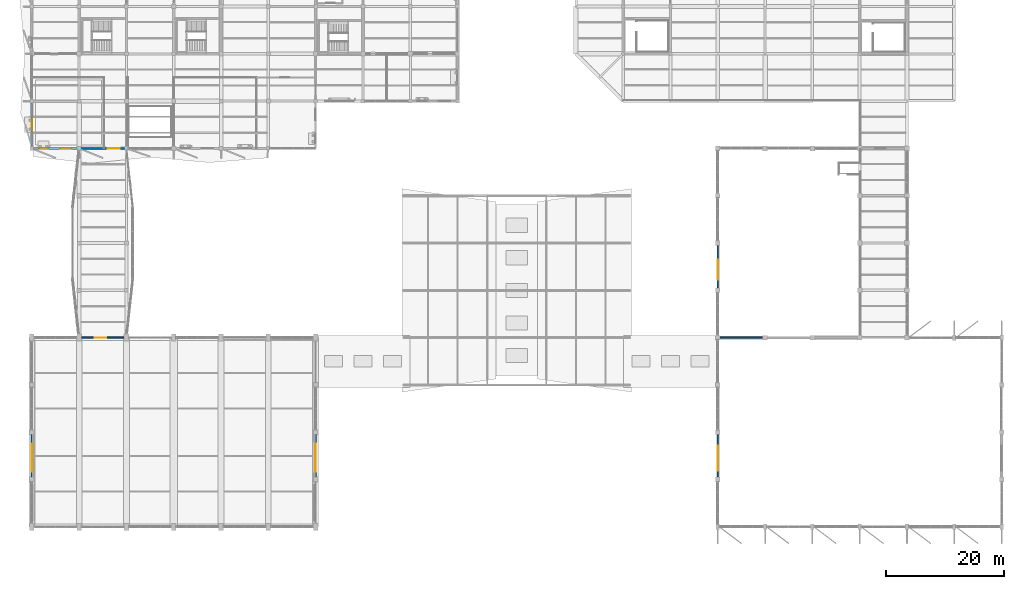
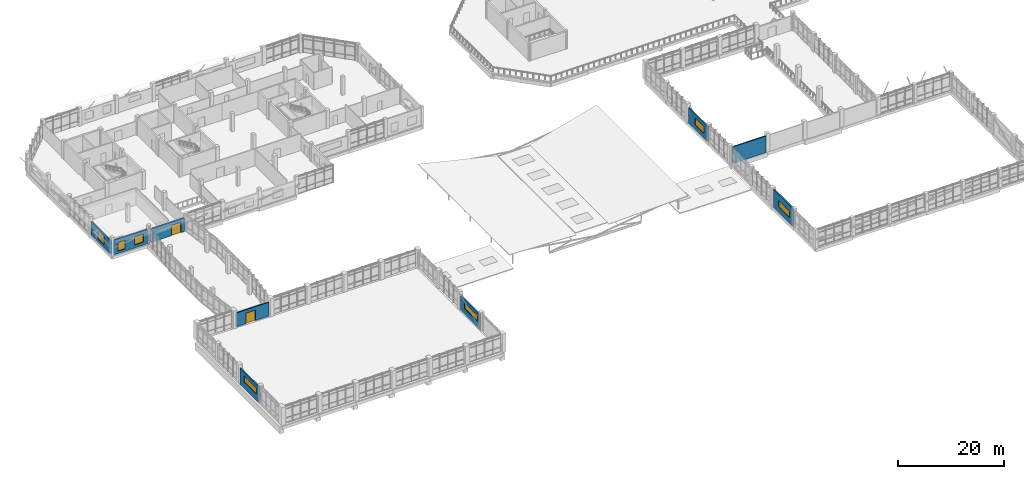
# One storey, part 72 of 84: 9 walls, 7 windows, 2 doors, 9 openings.
"""IFC4 building model written with IfcOpenShell, lengths in metres."""

from ifc_helpers import new_model, si_unit, direction, frame, frame_2d, origin, place, context, subcontext, project, spatial, rectangle, extrude, material, layer, layer_set, type_object, element, fill, save


model = new_model("IFC4")

# Units and contexts
model_context = context("Model", 3, precision=1e-05, world=origin(), true_north=direction((0.0, 1.0)))
body_context = subcontext(model_context, "Body", "Model", "MODEL_VIEW")
ifc_project = project(units=[si_unit("LENGTHUNIT", "METRE"), si_unit("AREAUNIT", "SQUARE_METRE"), si_unit("VOLUMEUNIT", "CUBIC_METRE"), si_unit("PLANEANGLEUNIT", "RADIAN"), si_unit("MASSUNIT", "GRAM", prefix="KILO")], contexts=[model_context])

# Site, building, storey
site_placement = place(None, origin())
site = spatial("IfcSite", under=ifc_project, at=site_placement, CompositionType="ELEMENT")
building_placement = place(site_placement, origin())
building = spatial("IfcBuilding", under=site, at=building_placement, Name="Tenunan Teduh Sports Hall", CompositionType="ELEMENT")
storey_placement = place(building_placement, frame((0.0, 0.0, 10.800048828125)))
storey = spatial("IfcBuildingStorey", under=building, at=storey_placement, Name="L02", CompositionType="ELEMENT", Elevation=10.800048828125)

# Wall
ifc_material_1 = material(Name="Precast concrete C40/50", Category="concrete")
ifc_layer_1 = layer(ifc_material_1, 0.25)
ifc_layer_set_1 = layer_set([ifc_layer_1], Name="Precast concrete C40/50")
wall_type_1 = type_object("IfcWallType", Name="WL-EXT-250", PredefinedType="SOLIDWALL", material=ifc_layer_set_1)
wall_1_placement = place(storey_placement, frame((122.39990234375, 46.0, -0.27001953125), z_axis=(0.0, 0.0, 1.0), x_axis=(1.0, 0.0, 0.0)))
element("IfcWall", 1, at=wall_1_placement, inside=storey, type_object=wall_type_1, Name="WL-EXT-L02-072", PredefinedType="SOLIDWALL", context=body_context, shape_type="SweptSolid", body=[
    extrude(rectangle(XDim=7.2001953125, YDim=0.25, at=frame_2d((3.60009765625, 0.0))), origin(), (0.0, 0.0, 1.0), 3.81005859375),
])

# Wall, opening, door
ifc_material_2 = material(Name="Concrete C40/50", Category="concrete")
ifc_layer_2 = layer(ifc_material_2, 0.280029296875)
ifc_layer_set_2 = layer_set([ifc_layer_2], Name="Concrete C40/50")
wall_type_2 = type_object("IfcWallType", Name="WL-EXT-280", PredefinedType="SOLIDWALL", material=ifc_layer_set_2)
wall_2_placement = place(storey_placement, frame((14.39990234375, 46.0, 0.0), z_axis=(0.0, 0.0, 1.0), x_axis=(1.0, 0.0, 0.0)))
wall_2 = element("IfcWall", 2, at=wall_2_placement, inside=storey, type_object=wall_type_2, Name="WL-EXT-L02-103", PredefinedType="SOLIDWALL", context=body_context, shape_type="SweptSolid", body=[
    extrude(rectangle(XDim=7.2001953125, YDim=0.280029296875, at=frame_2d((3.60009765625, 0.0))), origin(), (0.0, 0.0, 1.0), 3.159912109375),
])
opening_1_placement = place(wall_2_placement, frame((2.199951171875, 0.0, 0.0)))
opening_1 = element("IfcOpeningElement", 3, at=opening_1_placement, cuts=wall_2, Name="Opening ED-01", PredefinedType="OPENING", context=body_context, shape_type="SweptSolid", body=[
    extrude(rectangle(XDim=2.0, YDim=2.39990234375, at=frame_2d((1.0, 1.199951171875))), frame((0.0, 0.14990234375, 0.0), z_axis=(0.0, -1.0, 0.0), x_axis=(1.0, 0.0, 0.0)), (0.0, 0.0, 1.0), 0.300048828125),
])
ifc_material_3 = material(Name="Powder-coated aluminium and laminated safety glass", Category="aluminium")
door_type = type_object("IfcDoorType", Name="EDR-01", OperationType="DOUBLE_DOOR_SINGLE_SWING", PredefinedType="DOOR", material=ifc_material_3)
door_1_placement = place(opening_1_placement, origin())
door_1 = element("IfcDoor", 4, at=door_1_placement, inside=storey, type_object=door_type, Name="DR-EXT-L02-021", OperationType="DOUBLE_DOOR_SINGLE_SWING", OverallHeight=2.39990234375, OverallWidth=2.0, PredefinedType="DOOR", context=body_context, shape_type="SweptSolid", body=[
    extrude(rectangle(XDim=2.0, YDim=2.39990234375, at=frame_2d((1.0, 1.199951171875))), frame((0.0, 0.02490234375, 0.0), z_axis=(0.0, -1.0, 0.0), x_axis=(1.0, 0.0, 0.0)), (0.0, 0.0, 1.0), 0.050048828125),
])
fill(opening_1, door_1)

# Wall, opening, window
wall_3_placement = place(storey_placement, frame((122.0, 54.39990234375, -0.27001953125), z_axis=(0.0, 0.0, 1.0), x_axis=(0.0, 1.0, 0.0)))
wall_3 = element("IfcWall", 5, at=wall_3_placement, inside=storey, type_object=wall_type_2, Name="WL-EXT-L02-125", PredefinedType="SOLIDWALL", context=body_context, shape_type="SweptSolid", body=[
    extrude(rectangle(XDim=7.2001953125, YDim=0.280029296875, at=frame_2d((3.60009765625, 0.0))), origin(), (0.0, 0.0, 1.0), 3.510009765625),
])
opening_2_placement = place(wall_3_placement, frame((1.39990234375, 0.0, 1.10009765625)))
opening_2 = element("IfcOpeningElement", 6, at=opening_2_placement, cuts=wall_3, Name="Opening W-15", PredefinedType="OPENING", context=body_context, shape_type="SweptSolid", body=[
    extrude(rectangle(XDim=3.39990234375, YDim=1.60009765625, at=frame_2d((1.699951171875, 0.800048828125))), frame((0.0, 0.14990234375, 0.0), z_axis=(0.0, -1.0, 0.0), x_axis=(1.0, 0.0, 0.0)), (0.0, 0.0, 1.0), 0.300048828125),
])
ifc_material_4 = material(Name="Thermally broken aluminium and Low-E glazing", Category="aluminium")
window_type_1 = type_object("IfcWindowType", Name="WIN-15", PartitioningType="TRIPLE_PANEL_VERTICAL", PredefinedType="WINDOW", material=ifc_material_4)
window_1_placement = place(opening_2_placement, origin())
window_1 = element("IfcWindow", 7, at=window_1_placement, inside=storey, type_object=window_type_1, Name="WIN-L02-023", OverallHeight=1.60009765625, OverallWidth=3.39990234375, PartitioningType="SINGLE_PANEL", PredefinedType="WINDOW", context=body_context, shape_type="SweptSolid", body=[
    extrude(rectangle(XDim=3.39990234375, YDim=1.60009765625, at=frame_2d((1.699951171875, 0.800048828125))), frame((0.0, 0.030029296875, 0.0), z_axis=(0.0, -1.0, 0.0), x_axis=(1.0, 0.0, 0.0)), (0.0, 0.0, 1.0), 0.06005859375),
])
fill(opening_2, window_1)

# Wall, opening, door
wall_4_placement = place(storey_placement, frame((14.324951171875, 78.0, 0.0), z_axis=(0.0, 0.0, 1.0), x_axis=(1.0, 0.0, 0.0)))
wall_4 = element("IfcWall", 8, at=wall_4_placement, inside=storey, type_object=wall_type_2, Name="WL-EXT-L02-179", PredefinedType="SOLIDWALL", context=body_context, shape_type="SweptSolid", body=[
    extrude(rectangle(XDim=7.375, YDim=0.280029296875, at=frame_2d((3.6875, 0.0))), origin(), (0.0, 0.0, 1.0), 3.10986328125),
])
opening_3_placement = place(wall_4_placement, frame((4.550048828125, 0.0, 0.0)))
opening_3 = element("IfcOpeningElement", 9, at=opening_3_placement, cuts=wall_4, Name="Opening ED-01", PredefinedType="OPENING", context=body_context, shape_type="SweptSolid", body=[
    extrude(rectangle(XDim=2.0, YDim=2.39990234375, at=frame_2d((1.0, 1.199951171875))), frame((0.0, 0.14990234375, 0.0), z_axis=(0.0, -1.0, 0.0), x_axis=(1.0, 0.0, 0.0)), (0.0, 0.0, 1.0), 0.300048828125),
])
door_2_placement = place(opening_3_placement, origin())
door_2 = element("IfcDoor", 10, at=door_2_placement, inside=storey, type_object=door_type, Name="DR-EXT-L02-039", OperationType="DOUBLE_DOOR_SINGLE_SWING", OverallHeight=2.39990234375, OverallWidth=2.0, PredefinedType="DOOR", context=body_context, shape_type="SweptSolid", body=[
    extrude(rectangle(XDim=2.0, YDim=2.39990234375, at=frame_2d((1.0, 1.199951171875))), frame((0.0, 0.02490234375, 0.0), z_axis=(0.0, -1.0, 0.0), x_axis=(1.0, 0.0, 0.0)), (0.0, 0.0, 1.0), 0.050048828125),
])
fill(opening_3, door_2)

# Wall, opening, window
wall_5_placement = place(storey_placement, frame((6.0, 78.324951171875, 0.0), z_axis=(0.0, 0.0, 1.0), x_axis=(0.0, 1.0, 0.0)))
wall_5 = element("IfcWall", 11, at=wall_5_placement, inside=storey, type_object=wall_type_2, Name="WL-EXT-L02-191", PredefinedType="SOLIDWALL", context=body_context, shape_type="SweptSolid", body=[
    extrude(rectangle(XDim=7.375, YDim=0.280029296875, at=frame_2d((3.6875, 0.0))), origin(), (0.0, 0.0, 1.0), 3.10986328125),
])
opening_4_placement = place(wall_5_placement, frame((2.56005859375, 0.0, 0.699951171875)))
opening_4 = element("IfcOpeningElement", 12, at=opening_4_placement, cuts=wall_5, Name="Opening W-21", PredefinedType="OPENING", context=body_context, shape_type="SweptSolid", body=[
    extrude(rectangle(XDim=2.25, YDim=1.85009765625, at=frame_2d((1.125, 0.925048828125))), frame((0.0, 0.14990234375, 0.0), z_axis=(0.0, -1.0, 0.0), x_axis=(1.0, 0.0, 0.0)), (0.0, 0.0, 1.0), 0.300048828125),
])
ifc_material_5 = material(Name="Thermally broken aluminium and Low-E glazing", Category="aluminium")
window_type_2 = type_object("IfcWindowType", Name="WIN-21", PartitioningType="TRIPLE_PANEL_VERTICAL", PredefinedType="WINDOW", material=ifc_material_5)
window_2_placement = place(opening_4_placement, origin())
window_2 = element("IfcWindow", 13, at=window_2_placement, inside=storey, type_object=window_type_2, Name="WIN-L02-086", OverallHeight=1.85009765625, OverallWidth=2.25, PartitioningType="SINGLE_PANEL", PredefinedType="WINDOW", context=body_context, shape_type="SweptSolid", body=[
    extrude(rectangle(XDim=2.25, YDim=1.85009765625, at=frame_2d((1.125, 0.925048828125))), frame((0.0, 0.030029296875, 0.0), z_axis=(0.0, -1.0, 0.0), x_axis=(1.0, 0.0, 0.0)), (0.0, 0.0, 1.0), 0.06005859375),
])
fill(opening_4, window_2)

ifc_material_6 = material(Name="Concrete C40/50", Category="concrete")
ifc_layer_3 = layer(ifc_material_6, 0.2900390625)
ifc_layer_set_3 = layer_set([ifc_layer_3], Name="Concrete C40/50")
wall_type_3 = type_object("IfcWallType", Name="WL-EXT-290", PredefinedType="SOLIDWALL", material=ifc_layer_set_3)
wall_6_placement = place(storey_placement, frame((122.0, 22.39990234375, -0.27001953125), z_axis=(0.0, 0.0, 1.0), x_axis=(0.0, 1.0, 0.0)))
wall_6 = element("IfcWall", 14, at=wall_6_placement, inside=storey, type_object=wall_type_3, Name="WL-EXT-L02-076", PredefinedType="SOLIDWALL", context=body_context, shape_type="SweptSolid", body=[
    extrude(rectangle(XDim=7.2001953125, YDim=0.2900390625, at=frame_2d((3.60009765625, 0.0))), origin(), (0.0, 0.0, 1.0), 4.18994140625),
])
opening_5_placement = place(wall_6_placement, frame((1.10009765625, 0.0, 1.320068359375)))
opening_5 = element("IfcOpeningElement", 15, at=opening_5_placement, cuts=wall_6, Name="Opening W-06", PredefinedType="OPENING", context=body_context, shape_type="SweptSolid", body=[
    extrude(rectangle(XDim=4.199951171875, YDim=1.5, at=frame_2d((2.10009765625, 0.75))), frame((0.0, 0.155029296875, 0.0), z_axis=(0.0, -1.0, 0.0), x_axis=(1.0, 0.0, 0.0)), (0.0, 0.0, 1.0), 0.31005859375),
])
ifc_material_7 = material(Name="Thermally broken aluminium and Low-E glazing", Category="aluminium")
window_type_3 = type_object("IfcWindowType", Name="WIN-06", PartitioningType="TRIPLE_PANEL_HORIZONTAL", PredefinedType="WINDOW", material=ifc_material_7)
window_3_placement = place(opening_5_placement, origin())
window_3 = element("IfcWindow", 16, at=window_3_placement, inside=storey, type_object=window_type_3, Name="WIN-L02-006", OverallHeight=1.5, OverallWidth=4.199951171875, PartitioningType="SINGLE_PANEL", PredefinedType="WINDOW", context=body_context, shape_type="SweptSolid", body=[
    extrude(rectangle(XDim=4.199951171875, YDim=1.5, at=frame_2d((2.10009765625, 0.75))), frame((0.0, 0.030029296875, 0.0), z_axis=(0.0, -1.0, 0.0), x_axis=(1.0, 0.0, 0.0)), (0.0, 0.0, 1.0), 0.06005859375),
])
fill(opening_5, window_3)

# Wall, openings, windows
wall_7_placement = place(storey_placement, frame((6.324951171875, 78.0, 0.0), z_axis=(0.0, 0.0, 1.0), x_axis=(1.0, 0.0, 0.0)))
wall_7 = element("IfcWall", 17, at=wall_7_placement, inside=storey, type_object=wall_type_3, Name="WL-EXT-L02-178", PredefinedType="SOLIDWALL", context=body_context, shape_type="SweptSolid", body=[
    extrude(rectangle(XDim=7.35009765625, YDim=0.2900390625, at=frame_2d((3.675048828125, 0.0))), origin(), (0.0, 0.0, 1.0), 3.31005859375),
])
opening_6_placement = place(wall_7_placement, frame((0.85009765625, 0.0, 0.550048828125)))
opening_6 = element("IfcOpeningElement", 18, at=opening_6_placement, cuts=wall_7, Name="Opening W-14", PredefinedType="OPENING", context=body_context, shape_type="SweptSolid", body=[
    extrude(rectangle(XDim=1.60009765625, YDim=2.0, at=frame_2d((0.800048828125, 1.0))), frame((0.0, 0.155029296875, 0.0), z_axis=(0.0, -1.0, 0.0), x_axis=(1.0, 0.0, 0.0)), (0.0, 0.0, 1.0), 0.31005859375),
])
opening_7_placement = place(wall_7_placement, frame((4.449951171875, 0.0, 0.699951171875)))
opening_7 = element("IfcOpeningElement", 19, at=opening_7_placement, cuts=wall_7, Name="Opening W-20", PredefinedType="OPENING", context=body_context, shape_type="SweptSolid", body=[
    extrude(rectangle(XDim=1.949951171875, YDim=1.85009765625, at=frame_2d((0.97509765625, 0.925048828125))), frame((0.0, 0.155029296875, 0.0), z_axis=(0.0, -1.0, 0.0), x_axis=(1.0, 0.0, 0.0)), (0.0, 0.0, 1.0), 0.31005859375),
])
ifc_material_8 = material(Name="Thermally broken aluminium and Low-E glazing", Category="aluminium")
window_type_4 = type_object("IfcWindowType", Name="WIN-14", PartitioningType="DOUBLE_PANEL_VERTICAL", PredefinedType="WINDOW", material=ifc_material_8)
window_4_placement = place(opening_6_placement, origin())
window_4 = element("IfcWindow", 20, at=window_4_placement, inside=storey, type_object=window_type_4, Name="WIN-L02-067", OverallHeight=2.0, OverallWidth=1.60009765625, PartitioningType="SINGLE_PANEL", PredefinedType="WINDOW", context=body_context, shape_type="SweptSolid", body=[
    extrude(rectangle(XDim=1.60009765625, YDim=2.0, at=frame_2d((0.800048828125, 1.0))), frame((0.0, 0.030029296875, 0.0), z_axis=(0.0, -1.0, 0.0), x_axis=(1.0, 0.0, 0.0)), (0.0, 0.0, 1.0), 0.06005859375),
])
fill(opening_6, window_4)
ifc_material_9 = material(Name="Thermally broken aluminium and Low-E glazing", Category="aluminium")
window_type_5 = type_object("IfcWindowType", Name="WIN-20", PartitioningType="DOUBLE_PANEL_VERTICAL", PredefinedType="WINDOW", material=ifc_material_9)
window_5_placement = place(opening_7_placement, origin())
window_5 = element("IfcWindow", 21, at=window_5_placement, inside=storey, type_object=window_type_5, Name="WIN-L02-068", OverallHeight=1.85009765625, OverallWidth=1.949951171875, PartitioningType="SINGLE_PANEL", PredefinedType="WINDOW", context=body_context, shape_type="SweptSolid", body=[
    extrude(rectangle(XDim=1.949951171875, YDim=1.85009765625, at=frame_2d((0.97509765625, 0.925048828125))), frame((0.0, 0.030029296875, 0.0), z_axis=(0.0, -1.0, 0.0), x_axis=(1.0, 0.0, 0.0)), (0.0, 0.0, 1.0), 0.06005859375),
])
fill(opening_7, window_5)

# Wall, opening, window
ifc_material_10 = material(Name="Concrete C40/50", Category="concrete")
ifc_layer_4 = layer(ifc_material_10, 0.300048828125)
ifc_layer_set_4 = layer_set([ifc_layer_4], Name="Concrete C40/50")
wall_type_4 = type_object("IfcWallType", Name="WL-EXT-300", PredefinedType="SOLIDWALL", material=ifc_layer_set_4)
wall_8_placement = place(storey_placement, frame((6.0, 22.39990234375, -0.27001953125), z_axis=(0.0, 0.0, 1.0), x_axis=(0.0, 1.0, 0.0)))
wall_8 = element("IfcWall", 22, at=wall_8_placement, inside=storey, type_object=wall_type_4, Name="WL-EXT-L02-104", PredefinedType="SOLIDWALL", context=body_context, shape_type="SweptSolid", body=[
    extrude(rectangle(XDim=7.2001953125, YDim=0.300048828125, at=frame_2d((3.60009765625, 0.0))), origin(), (0.0, 0.0, 1.0), 3.6298828125),
])
opening_8_placement = place(wall_8_placement, frame((0.89990234375, 0.0, 1.419921875)))
opening_8 = element("IfcOpeningElement", 23, at=opening_8_placement, cuts=wall_8, Name="Opening W-12", PredefinedType="OPENING", context=body_context, shape_type="SweptSolid", body=[
    extrude(rectangle(XDim=4.800048828125, YDim=1.39990234375, at=frame_2d((2.39990234375, 0.699951171875))), frame((0.0, 0.159912109375, 0.0), z_axis=(0.0, -1.0, 0.0), x_axis=(1.0, 0.0, 0.0)), (0.0, 0.0, 1.0), 0.320068359375),
])
ifc_material_11 = material(Name="Thermally broken aluminium and Low-E glazing", Category="aluminium")
window_type_6 = type_object("IfcWindowType", Name="WIN-12", PartitioningType="TRIPLE_PANEL_HORIZONTAL", PredefinedType="WINDOW", material=ifc_material_11)
window_6_placement = place(opening_8_placement, origin())
window_6 = element("IfcWindow", 24, at=window_6_placement, inside=storey, type_object=window_type_6, Name="WIN-L02-016", OverallHeight=1.39990234375, OverallWidth=4.800048828125, PartitioningType="SINGLE_PANEL", PredefinedType="WINDOW", context=body_context, shape_type="SweptSolid", body=[
    extrude(rectangle(XDim=4.800048828125, YDim=1.39990234375, at=frame_2d((2.39990234375, 0.699951171875))), frame((0.0, 0.030029296875, 0.0), z_axis=(0.0, -1.0, 0.0), x_axis=(1.0, 0.0, 0.0)), (0.0, 0.0, 1.0), 0.06005859375),
])
fill(opening_8, window_6)

wall_9_placement = place(storey_placement, frame((54.0, 22.39990234375, -0.27001953125), z_axis=(0.0, 0.0, 1.0), x_axis=(0.0, 1.0, 0.0)))
wall_9 = element("IfcWall", 25, at=wall_9_placement, inside=storey, type_object=wall_type_4, Name="WL-EXT-L02-105", PredefinedType="SOLIDWALL", context=body_context, shape_type="SweptSolid", body=[
    extrude(rectangle(XDim=7.2001953125, YDim=0.300048828125, at=frame_2d((3.60009765625, 0.0))), origin(), (0.0, 0.0, 1.0), 3.47998046875),
])
opening_9_placement = place(wall_9_placement, frame((0.89990234375, 0.0, 1.419921875)))
opening_9 = element("IfcOpeningElement", 26, at=opening_9_placement, cuts=wall_9, Name="Opening W-12", PredefinedType="OPENING", context=body_context, shape_type="SweptSolid", body=[
    extrude(rectangle(XDim=4.800048828125, YDim=1.39990234375, at=frame_2d((2.39990234375, 0.699951171875))), frame((0.0, 0.159912109375, 0.0), z_axis=(0.0, -1.0, 0.0), x_axis=(1.0, 0.0, 0.0)), (0.0, 0.0, 1.0), 0.320068359375),
])
window_7_placement = place(opening_9_placement, origin())
window_7 = element("IfcWindow", 27, at=window_7_placement, inside=storey, type_object=window_type_6, Name="WIN-L02-017", OverallHeight=1.39990234375, OverallWidth=4.800048828125, PartitioningType="SINGLE_PANEL", PredefinedType="WINDOW", context=body_context, shape_type="SweptSolid", body=[
    extrude(rectangle(XDim=4.800048828125, YDim=1.39990234375, at=frame_2d((2.39990234375, 0.699951171875))), frame((0.0, 0.030029296875, 0.0), z_axis=(0.0, -1.0, 0.0), x_axis=(1.0, 0.0, 0.0)), (0.0, 0.0, 1.0), 0.06005859375),
])
fill(opening_9, window_7)

save(model, "model.ifc")
